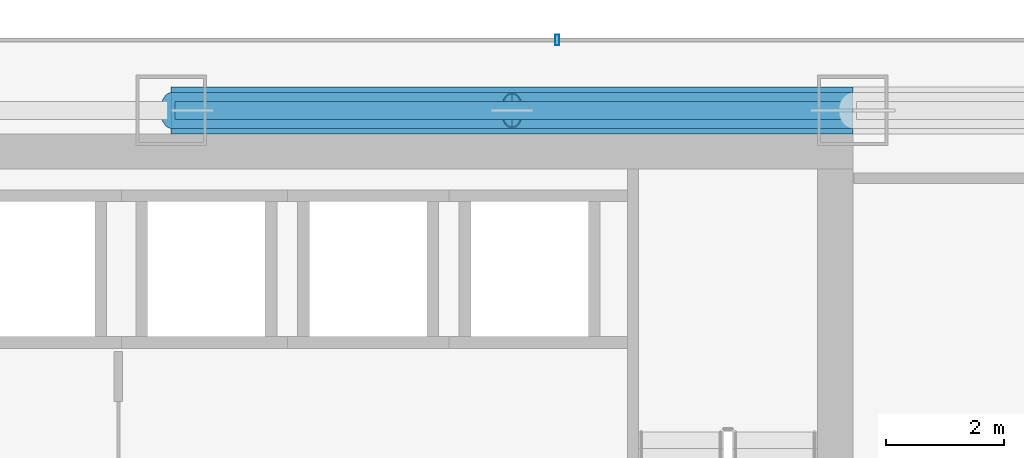
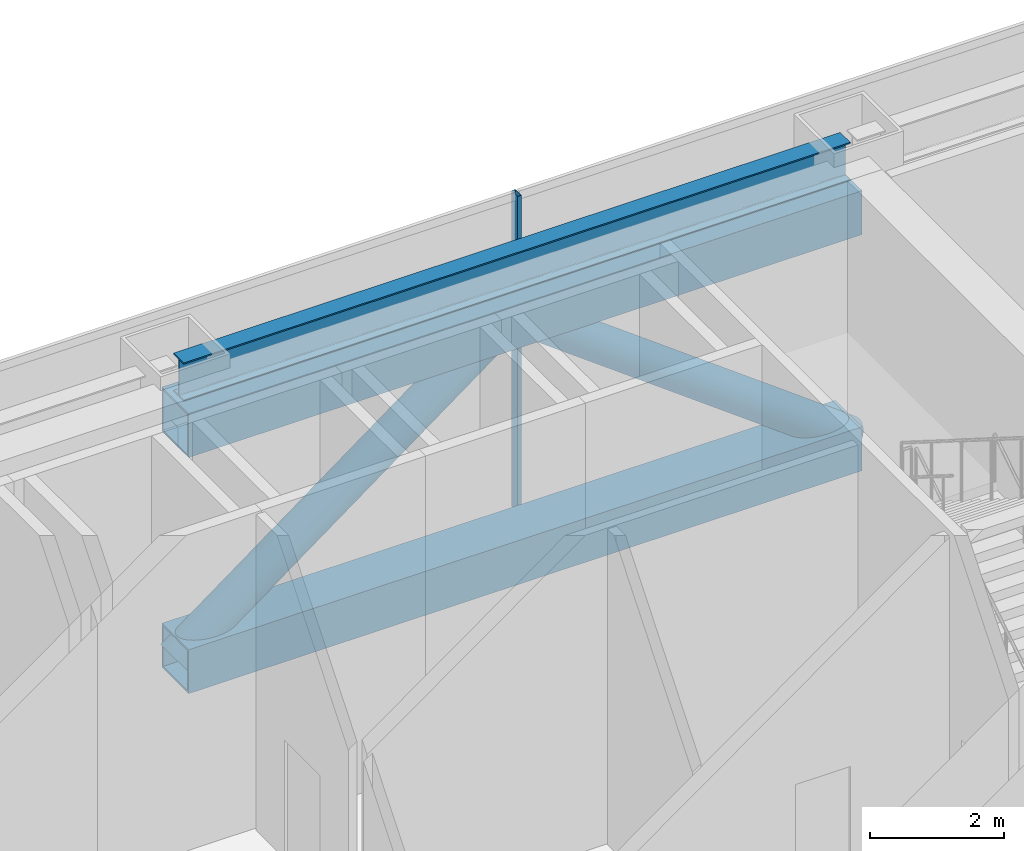
# One storey, part 26 of 35: 5 members, 1 beam, 1 element without a shape of its own.
"""IFC4 building model written with IfcOpenShell, lengths in metres."""

import ifcopenshell
import ifcopenshell.guid

model = None  # the IFC model being written
_history = None  # IfcOwnerHistory: only IFC2X3 demands one
_inside = {}  # id of a spatial element -> (the spatial element, [elements in it])
_under = {}  # id of a project, library or spatial element -> (it, [spatial elements below it])
_declared = {}  # id of a project -> (the project, [libraries it declares])
_typed = {}  # id of a type object -> (the type object, [elements of that type])
_made_of = {}  # id of a material, layer set ... -> (it, [elements and type objects made of it])


def new_model(schema):
    """Start an empty IFC model of exactly this schema.

    Asked for "IFC4X3", IfcOpenShell would pick the latest addendum, in which some entities
    have other attributes; the version numbers below select the first issue.
    IFC2X3 requires an IfcOwnerHistory on every rooted entity: one is made here for all.
    """
    global model, _history
    if schema == "IFC4X3":
        model = ifcopenshell.file(schema_version=(4, 3, 0, 0))
    else:
        model = ifcopenshell.file(schema=schema)
    _inside.clear()
    _under.clear()
    _declared.clear()
    _typed.clear()
    _made_of.clear()
    _history = None
    if model.schema == "IFC2X3":
        org = make("IfcOrganization", Name="unknown")
        user = make(
            "IfcPersonAndOrganization",
            ThePerson=make("IfcPerson", FamilyName="unknown"),
            TheOrganization=org,
        )
        app = make(
            "IfcApplication",
            ApplicationDeveloper=org,
            Version="unknown",
            ApplicationFullName="unknown",
            ApplicationIdentifier="unknown",
        )
        _history = make(
            "IfcOwnerHistory",
            OwningUser=user,
            OwningApplication=app,
            ChangeAction="ADDED",
            CreationDate=0,
        )
    return model


def make(cls, **values):
    """One entity of the class cls with the attributes given. An attribute that is None is left unset."""
    return model.create_entity(
        cls, **{name: value for name, value in values.items() if value is not None}
    )


def rooted(cls, **values):
    """An entity with a GlobalId (a new one), such as an element, a storey or a relation."""
    return make(cls, GlobalId=ifcopenshell.guid.new(), OwnerHistory=_history, **values)


def si_unit(unit_type, name, prefix=None):
    """IfcSIUnit, for example si_unit("LENGTHUNIT", "METRE", prefix="MILLI")."""
    return make("IfcSIUnit", UnitType=unit_type, Prefix=prefix, Name=name)


def assignment(units):
    """IfcUnitAssignment: the units of a project."""
    return None if units is None else make("IfcUnitAssignment", Units=units)


def point(xyz):
    """IfcCartesianPoint."""
    return None if xyz is None else make("IfcCartesianPoint", Coordinates=xyz)


def direction(xyz):
    """IfcDirection."""
    return None if xyz is None else make("IfcDirection", DirectionRatios=xyz)


def frame(location, z_axis=None, x_axis=None):
    """IfcAxis2Placement3D, a coordinate frame: its origin and axes. An axis left out is left unset."""
    return make(
        "IfcAxis2Placement3D",
        Location=point(location),
        Axis=direction(z_axis),
        RefDirection=direction(x_axis),
    )


def frame_2d(location, x_axis=None):
    """IfcAxis2Placement2D, a coordinate frame in the plane: its origin and x axis."""
    return make(
        "IfcAxis2Placement2D", Location=point(location), RefDirection=direction(x_axis)
    )


def origin():
    """The frame at (0, 0, 0) with its axes left unset."""
    return frame((0.0, 0.0, 0.0))


def origin_2d():
    """The frame at (0, 0) in the plane with its x axis left unset."""
    return frame_2d((0.0, 0.0))


def place(relative_to, where):
    """IfcLocalPlacement: puts the frame where relative to a parent placement (None: the world)."""
    return make(
        "IfcLocalPlacement", PlacementRelTo=relative_to, RelativePlacement=where
    )


def context(
    kind, dimensions, precision=None, world=None, true_north=None, identifier=None
):
    """IfcGeometricRepresentationContext, for example the 3D "Model" context."""
    return make(
        "IfcGeometricRepresentationContext",
        ContextIdentifier=identifier,
        ContextType=kind,
        CoordinateSpaceDimension=dimensions,
        Precision=precision,
        WorldCoordinateSystem=world,
        TrueNorth=true_north,
    )


def subcontext(parent, identifier, kind, view, scale=None):
    """IfcGeometricRepresentationSubContext, for example "Body" below "Model"."""
    return make(
        "IfcGeometricRepresentationSubContext",
        ContextIdentifier=identifier,
        ContextType=kind,
        ParentContext=parent,
        TargetScale=scale,
        TargetView=view,
    )


def project(units=None, contexts=None):
    """IfcProject with its units and contexts."""
    return rooted(
        "IfcProject",
        Name="project",
        RepresentationContexts=contexts,
        UnitsInContext=assignment(units),
    )


def spatial(cls, under=None, at=None, **own):
    """A site, building, storey or space (cls), placed at a placement, below another one or the project."""
    s = rooted(cls, ObjectPlacement=at, **own)
    if under is not None:
        _under.setdefault(under.id(), (under, []))[1].append(s)
    return s


def profile(cls, at=None, kind="AREA", **sizes):
    """A parametric profile (cls). Its sizes go by their IFC names, for example OverallWidth=200.0."""
    return make(cls, ProfileType=kind, Position=at, **sizes)


def hollow_rectangle(**sizes):
    """IfcRectangleHollowProfileDef."""
    return profile("IfcRectangleHollowProfileDef", **sizes)


def hollow_circle(**sizes):
    """IfcCircleHollowProfileDef."""
    return profile("IfcCircleHollowProfileDef", **sizes)


def i_section(**sizes):
    """IfcIShapeProfileDef."""
    return profile("IfcIShapeProfileDef", **sizes)


def extrude(swept, where, along, depth):
    """IfcExtrudedAreaSolid: the profile swept, set in the frame where, extruded along a direction by depth."""
    return make(
        "IfcExtrudedAreaSolid",
        SweptArea=swept,
        Position=where,
        ExtrudedDirection=direction(along),
        Depth=depth,
    )


def shape(context_of_items, identifier, shape_type, items):
    """IfcShapeRepresentation: the items that make up one representation, for example the "Body"."""
    return make(
        "IfcShapeRepresentation",
        ContextOfItems=context_of_items,
        RepresentationIdentifier=identifier,
        RepresentationType=shape_type,
        Items=items,
    )


def material(Name=None, Category=None):
    """IfcMaterial."""
    return make("IfcMaterial", Name=Name, Category=Category)


def material_profile(
    of_material, cross_section, Name=None, Category=None, Priority=None
):
    """IfcMaterialProfile: a cross section and its material."""
    return make(
        "IfcMaterialProfile",
        Name=Name,
        Material=of_material,
        Profile=cross_section,
        Priority=Priority,
        Category=Category,
    )


def profile_set(profiles, Name=None, composite=None):
    """IfcMaterialProfileSet."""
    return make(
        "IfcMaterialProfileSet",
        Name=Name,
        MaterialProfiles=profiles,
        CompositeProfile=composite,
    )


def made_of(thing, what):
    """Note that an element or type object is made of a material, layer set ...; save() writes the relation."""
    if what is not None:
        _made_of.setdefault(what.id(), (what, []))[1].append(thing)
    return thing


def type_object(cls, material=None, **own):
    """A type object (cls), such as IfcWallType, which elements share."""
    return made_of(rooted(cls, **own), material)


def element(
    cls,
    number,
    at=None,
    inside=None,
    cuts=None,
    type_object=None,
    material=None,
    context=None,
    identifier="Body",
    shape_type=None,
    held_by="IfcProductDefinitionShape",
    body=None,
    shapes=None,
    **own,
):
    """One element of the class cls, such as IfcWall. Its Tag is "e" and its number.

    at: its placement. inside: the storey or other place that contains it. cuts: it is an
    opening in that element (IfcRelVoidsElement). A single representation is given by context,
    identifier, shape_type and body (its items); several are given by shapes. held_by: the class
    of the entity that holds the representations. save() writes the other relations.
    """
    e = rooted(cls, Tag="e%d" % number, ObjectPlacement=at, **own)
    if body is not None:
        shapes = [shape(context, identifier, shape_type, body)]
    if shapes is not None:
        e.Representation = make(held_by, Representations=shapes)
    if inside is not None:
        _inside.setdefault(inside.id(), (inside, []))[1].append(e)
    if cuts is not None:
        rooted(
            "IfcRelVoidsElement", RelatingBuildingElement=cuts, RelatedOpeningElement=e
        )
    if type_object is not None:
        _typed.setdefault(type_object.id(), (type_object, []))[1].append(e)
    return made_of(e, material)


def aggregate(whole, parts):
    """IfcRelAggregates: a whole, such as a stair, and the parts it consists of."""
    return rooted("IfcRelAggregates", RelatingObject=whole, RelatedObjects=parts)


def save(model, path):
    """Write the relations noted so far, then the file.

    IfcRelAggregates (storeys below a building ...), IfcRelContainedInSpatialStructure (elements
    in a storey), IfcRelDefinesByType, IfcRelAssociatesMaterial and IfcRelDeclares: one each for
    every whole, place, type object, material and project.
    """
    for whole, parts in _under.values():
        aggregate(whole, parts)
    for where, things in _inside.values():
        rooted(
            "IfcRelContainedInSpatialStructure",
            RelatedElements=things,
            RelatingStructure=where,
        )
    for kind, things in _typed.values():
        rooted("IfcRelDefinesByType", RelatedObjects=things, RelatingType=kind)
    for what, things in _made_of.values():
        rooted("IfcRelAssociatesMaterial", RelatedObjects=things, RelatingMaterial=what)
    for by, libraries in _declared.values():
        rooted("IfcRelDeclares", RelatingContext=by, RelatedDefinitions=libraries)
    model.write(path)


model = new_model("IFC4")

# Units and contexts
model_context = context("Model", 3, precision=1e-05, world=origin(), true_north=direction((0.0, 1.0)))
body_context = subcontext(model_context, "Body", "Model", "MODEL_VIEW")
ifc_project = project(units=[si_unit("LENGTHUNIT", "METRE"), si_unit("AREAUNIT", "SQUARE_METRE"), si_unit("VOLUMEUNIT", "CUBIC_METRE"), si_unit("PLANEANGLEUNIT", "RADIAN"), si_unit("MASSUNIT", "GRAM", prefix="KILO")], contexts=[model_context])

# Site, building, storey
site_placement = place(None, origin())
site = spatial("IfcSite", under=ifc_project, at=site_placement, CompositionType="ELEMENT")
building_placement = place(site_placement, origin())
building = spatial("IfcBuilding", under=site, at=building_placement, Name="Saevonmaru Cultural Tower", CompositionType="ELEMENT")
storey_placement = place(building_placement, frame((0.0, 0.0, 86.800048828125)))
storey = spatial("IfcBuildingStorey", under=building, at=storey_placement, Name="L18", CompositionType="ELEMENT", Elevation=86.800048828125)

# Beam
ifc_material_1 = material(Name="Steel SM355", Category="steel")
ifc_material_profile_1 = material_profile(ifc_material_1, i_section(OverallWidth=0.300048828125, OverallDepth=0.699951171875, WebThickness=0.012939453125, FlangeThickness=0.02392578125, FilletRadius=0.02587890625, at=origin_2d()), Name="H-700x300x13x24")
ifc_profile_set_1 = profile_set([ifc_material_profile_1], Name="Steel SM355")
beam_type = type_object("IfcBeamType", Name="BM-SP-H700", PredefinedType="SPANDREL", material=ifc_profile_set_1)
beam_placement = place(storey_placement, frame((34.860107421875, 54.800048828125, 5.39990234375), z_axis=(1.0, 0.0, 0.0), x_axis=(0.0, 1.0, 0.0)))
element("IfcBeam", 1, at=beam_placement, inside=storey, type_object=beam_type, Name="L18 North Spine Girder 4", PredefinedType="SPANDREL", context=body_context, shape_type="SweptSolid", body=[
    extrude(i_section(OverallWidth=0.300048828125, OverallDepth=0.699951171875, WebThickness=0.012939453125, FlangeThickness=0.02392578125, FilletRadius=0.02587890625, at=origin_2d()), origin(), (0.0, 0.0, 1.0), 11.47998046875),
])

# Members
ifc_material_2 = material(Name="Steel HSA600 (600 MPa)", Category="steel")
ifc_material_profile_2 = material_profile(ifc_material_2, hollow_circle(Radius=0.3046875, WallThickness=0.02490234375, at=origin_2d()), Name="CHS-609.6x25")
ifc_profile_set_2 = profile_set([ifc_material_profile_2], Name="Steel HSA600 (600 MPa)")
member_type_1 = type_object("IfcMemberType", Name="MB-OBR-CHS610", PredefinedType="BRACE", material=ifc_profile_set_2)
member_1_placement = place(storey_placement, frame((34.800048828125, 54.800048828125, 0.300048828125), z_axis=(0.803327112017, 0.0, 0.595538034972), x_axis=(0.0, 1.0, 0.0)))
element("IfcMember", 2, at=member_1_placement, inside=storey, type_object=member_type_1, Name="L18 Outrigger Truss Diagonal OE1-1", PredefinedType="BRACE", context=body_context, shape_type="SweptSolid", body=[
    extrude(hollow_circle(Radius=0.3046875, WallThickness=0.02490234375, at=origin_2d()), origin(), (0.0, 0.0, 1.0), 7.219970703125),
])
member_2_placement = place(storey_placement, frame((46.39990234375, 54.800048828125, 0.300048828125), z_axis=(-0.803315118749, 0.0, 0.595554212469), x_axis=(0.0, -1.0, 0.0)))
element("IfcMember", 3, at=member_2_placement, inside=storey, type_object=member_type_1, Name="L18 Outrigger Truss Diagonal OE1-2", PredefinedType="BRACE", context=body_context, shape_type="SweptSolid", body=[
    extrude(hollow_circle(Radius=0.3046875, WallThickness=0.02490234375, at=origin_2d()), origin(), (0.0, 0.0, 1.0), 7.2197265625),
])
ifc_material_profile_3 = material_profile(ifc_material_2, hollow_rectangle(XDim=0.800048828125, YDim=0.800048828125, WallThickness=0.035888671875, at=origin_2d()), Name="BOX-800x800x36")
ifc_profile_set_3 = profile_set([ifc_material_profile_3], Name="Steel HSA600 (600 MPa)")
member_type_2 = type_object("IfcMemberType", Name="MB-OCH-BOX800", PredefinedType="CHORD", material=ifc_profile_set_3)
for number, where, z_axis, x_axis, name in (
    (4, (34.800048828125, 54.800048828125, 0.300048828125), (1.0, 0.0, 0.0), (0.0, 1.0, 0.0), "L18 Outrigger Truss Bottom Chord OE1"),
    (5, (34.800048828125, 54.800048828125, 4.599853515625), (1.0, 0.0, 0.0), (0.0, 1.0, 0.0), "L18 Outrigger Truss Top Chord OE1"),
):
    element("IfcMember", number, at=place(storey_placement, frame(where, z_axis=z_axis, x_axis=x_axis)), inside=storey, type_object=member_type_2, Name=name, PredefinedType="CHORD", context=body_context, shape_type="SweptSolid", body=[
        extrude(hollow_rectangle(XDim=0.800048828125, YDim=0.800048828125, WallThickness=0.035888671875, at=origin_2d()), origin(), (0.0, 0.0, 1.0), 11.599853515625),
    ])

# Curtain wall, member
ifc_material_3 = material(Name="Satin Bronze Anodised Aluminium", Category="aluminium")
curtain_wall_type = type_object("IfcCurtainWallType", Name="CW-TYP-A", PredefinedType="NOTDEFINED", material=ifc_material_3)
curtain_wall_placement = place(storey_placement, origin())
curtain_wall = element("IfcCurtainWall", 6, at=curtain_wall_placement, inside=storey, type_object=curtain_wall_type, Name="L18 Wind-Floor Acoustic Louvre Screen E10", PredefinedType="NOTDEFINED")
ifc_material_profile_4 = material_profile(ifc_material_3, hollow_rectangle(XDim=0.06494140625, YDim=0.179931640625, WallThickness=0.00390625, at=origin_2d()), Name="ALU-MULL-180x65x4")
ifc_profile_set_4 = profile_set([ifc_material_profile_4], Name="Satin Bronze Anodised Aluminium")
member_type_3 = type_object("IfcMemberType", Name="ML-CW-180x65", PredefinedType="MULLION", material=ifc_profile_set_4)
member_3_placement = place(storey_placement, frame((41.3701171875, 56.0, 0.0), z_axis=(0.0, 0.0, 1.0), x_axis=(-1.0, 0.0, 0.0)))
member_3 = element("IfcMember", 7, at=member_3_placement, type_object=member_type_3, Name="CW-TW-L18-E10 mullion 2", PredefinedType="MULLION", context=body_context, shape_type="SweptSolid", body=[
    extrude(hollow_rectangle(XDim=0.06494140625, YDim=0.179931640625, WallThickness=0.00390625, at=origin_2d()), origin(), (0.0, 0.0, 1.0), 5.75),
])
aggregate(curtain_wall, [member_3])

save(model, "model.ifc")
